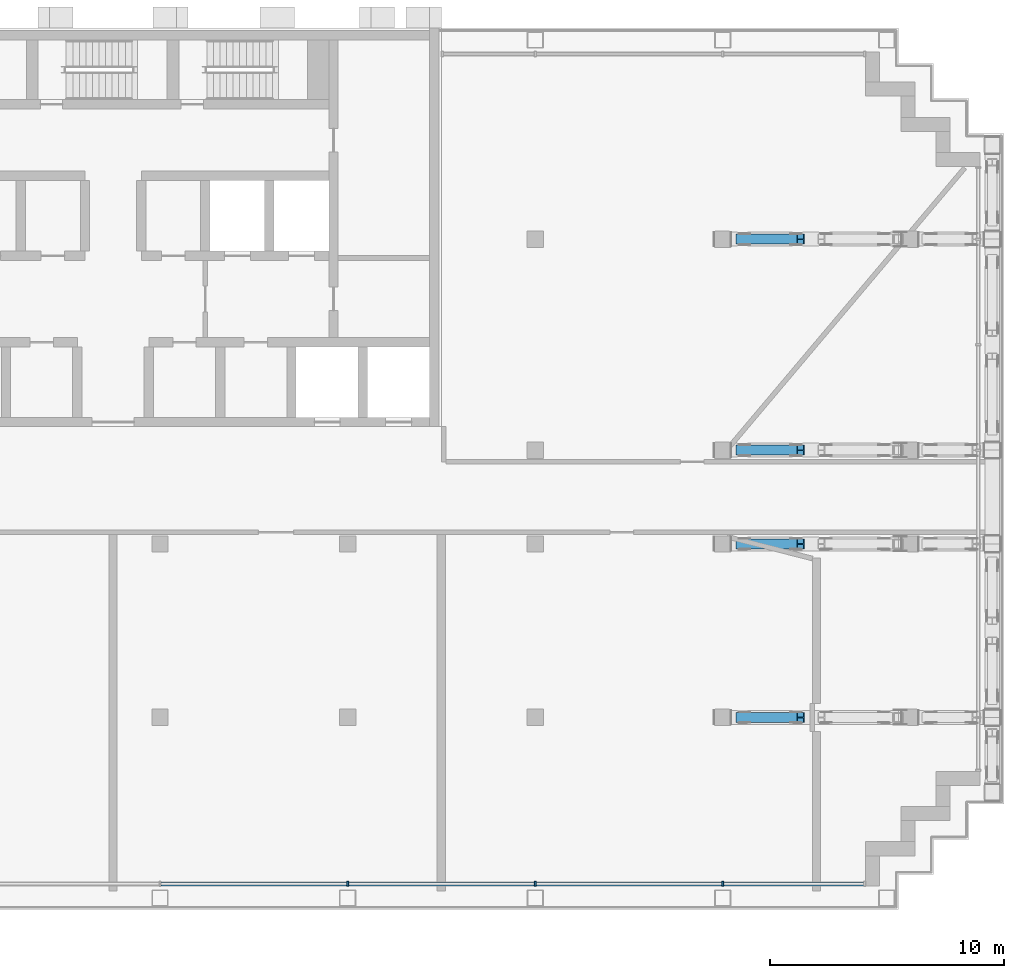
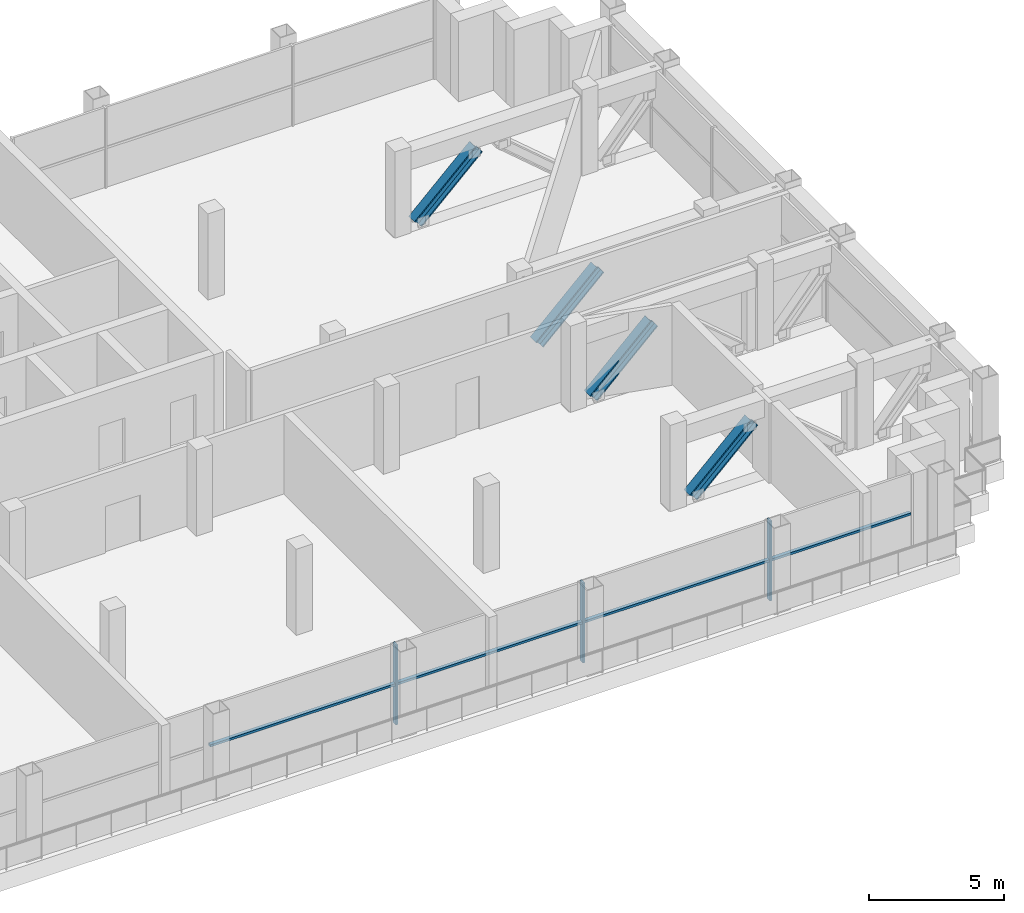
# One storey, part 3 of 21: 11 members, 1 element without a shape of its own.
"""IFC4 building model written with IfcOpenShell, lengths in metres."""

from ifc_helpers import new_model, si_unit, direction, frame, origin, origin_2d, place, context, subcontext, project, spatial, rectangle, i_section, extrude, material, material_profile, profile_set, type_object, element, aggregate, save


model = new_model("IFC4")

# Units and contexts
model_context = context("Model", 3, precision=1e-05, world=origin(), true_north=direction((0.0, 1.0)))
body_context = subcontext(model_context, "Body", "Model", "MODEL_VIEW")
ifc_project = project(units=[si_unit("LENGTHUNIT", "METRE"), si_unit("AREAUNIT", "SQUARE_METRE"), si_unit("VOLUMEUNIT", "CUBIC_METRE"), si_unit("PLANEANGLEUNIT", "RADIAN"), si_unit("MASSUNIT", "GRAM", prefix="KILO")], contexts=[model_context])

# Site, building, storey
site_placement = place(None, origin())
site = spatial("IfcSite", under=ifc_project, at=site_placement, CompositionType="ELEMENT")
building_placement = place(site_placement, origin())
building = spatial("IfcBuilding", under=site, at=building_placement, Name="Vidyagriha Tower", CompositionType="ELEMENT")
storey_placement = place(building_placement, frame((0.0, 0.0, 161.39990234375)))
storey = spatial("IfcBuildingStorey", under=building, at=storey_placement, Name="L41", CompositionType="ELEMENT", Elevation=161.39990234375)

# Curtain wall, members
ifc_material_1 = material(Name="Aluminium and glass curtain wall", Category="aluminium")
curtain_wall_type = type_object("IfcCurtainWallType", Name="Plant louvre wall", PredefinedType="USERDEFINED", material=ifc_material_1)
curtain_wall_placement = place(storey_placement, origin())
curtain_wall = element("IfcCurtainWall", 1, at=curtain_wall_placement, inside=storey, type_object=curtain_wall_type, Name="CW7 plant louvre wall", ObjectType="STICK GLAZING", PredefinedType="USERDEFINED")
ifc_material_2 = material(Name="Aluminium black anodised", Category="aluminium")
ifc_material_profile_1 = material_profile(ifc_material_2, rectangle(XDim=0.219970703125, YDim=0.080078125, at=origin_2d()), Name="Mullion 80x220 black aluminium")
ifc_profile_set_1 = profile_set([ifc_material_profile_1], Name="Aluminium black anodised")
member_type_1 = type_object("IfcMemberType", Name="Mullion 80x220 black aluminium", PredefinedType="MULLION", material=ifc_profile_set_1)
member_1_placement = place(storey_placement, frame((10.0, -16.5, 0.0), z_axis=(0.0, 0.0, 1.0), x_axis=(0.0, 1.0, 0.0)))
member_1 = element("IfcMember", 2, at=member_1_placement, type_object=member_type_1, Name="CW7 mullion 5", PredefinedType="MULLION", context=body_context, shape_type="SweptSolid", body=[
    extrude(rectangle(XDim=0.219970703125, YDim=0.080078125, at=origin_2d()), origin(), (0.0, 0.0, 1.0), 3.6201171875),
])
member_2_placement = place(storey_placement, frame((18.0, -16.5, 0.0), z_axis=(0.0, 0.0, 1.0), x_axis=(0.0, 1.0, 0.0)))
member_2 = element("IfcMember", 3, at=member_2_placement, type_object=member_type_1, Name="CW7 mullion 6", PredefinedType="MULLION", context=body_context, shape_type="SweptSolid", body=[
    extrude(rectangle(XDim=0.219970703125, YDim=0.080078125, at=origin_2d()), origin(), (0.0, 0.0, 1.0), 3.6201171875),
])
member_3_placement = place(storey_placement, frame((26.0, -16.5, 0.0), z_axis=(0.0, 0.0, 1.0), x_axis=(0.0, 1.0, 0.0)))
member_3 = element("IfcMember", 4, at=member_3_placement, type_object=member_type_1, Name="CW7 mullion 7", PredefinedType="MULLION", context=body_context, shape_type="SweptSolid", body=[
    extrude(rectangle(XDim=0.219970703125, YDim=0.080078125, at=origin_2d()), origin(), (0.0, 0.0, 1.0), 3.6201171875),
])

# Members
ifc_material_3 = material(Name="Steel ASTM A913 Grade 65", Category="steel")
ifc_material_profile_2 = material_profile(ifc_material_3, i_section(OverallWidth=0.421630859375, OverallDepth=0.46484375, WebThickness=0.030029296875, FlangeThickness=0.052978515625, at=origin_2d()), Name="W14X398")
ifc_profile_set_2 = profile_set([ifc_material_profile_2], Name="Steel ASTM A913 Grade 65")
member_type_2 = type_object("IfcMemberType", Name="Transfer truss diagonal W14X398", PredefinedType="BRACE", material=ifc_profile_set_2)
for number, where, z_axis, x_axis, name in (
    (5, (26.7255859375, -9.39990234375, 0.168212890625), (0.722886654234, 0.0, 0.690966630982), (0.0, 1.0, 0.0), "st-truss-L41-T02-D000"),
    (6, (26.7255859375, -2.0, 0.168212890625), (0.722886654234, 0.0, 0.690966630982), (0.0, 1.0, 0.0), "st-truss-L41-T04-D000"),
    (7, (26.7255859375, 2.0, 0.168212890625), (0.722886654234, 0.0, 0.690966630982), (0.0, 1.0, 0.0), "st-truss-L41-T06-D000"),
    (8, (26.7255859375, 11.0, 0.168212890625), (0.722886654234, 0.0, 0.690966630982), (0.0, 1.0, 0.0), "st-truss-L41-T08-D000"),
):
    element("IfcMember", number, at=place(storey_placement, frame(where, z_axis=z_axis, x_axis=x_axis)), inside=storey, type_object=member_type_2, Name=name, PredefinedType="BRACE", context=body_context, shape_type="SweptSolid", body=[
        extrude(i_section(OverallWidth=0.421630859375, OverallDepth=0.46484375, WebThickness=0.030029296875, FlangeThickness=0.052978515625, at=origin_2d()), origin(), (0.0, 0.0, 1.0), 3.5947265625),
    ])

# Member
ifc_material_4 = material(Name="Aluminium black anodised", Category="aluminium")
ifc_material_profile_3 = material_profile(ifc_material_4, rectangle(XDim=0.159912109375, YDim=0.10009765625, at=origin_2d()), Name="Transom 100x160 black aluminium")
ifc_profile_set_3 = profile_set([ifc_material_profile_3], Name="Aluminium black anodised")
member_type_3 = type_object("IfcMemberType", Name="Transom 100x160 black aluminium", PredefinedType="USERDEFINED", material=ifc_profile_set_3)
member_4_placement = place(storey_placement, frame((2.0400390625, -16.5, 1.81005859375), z_axis=(1.0, 0.0, 0.0), x_axis=(0.0, 1.0, 0.0)))
member_4 = element("IfcMember", 9, at=member_4_placement, type_object=member_type_3, Name="CW7 transom 4.1", ObjectType="TRANSOM", PredefinedType="USERDEFINED", context=body_context, shape_type="SweptSolid", body=[
    extrude(rectangle(XDim=0.159912109375, YDim=0.10009765625, at=origin_2d()), origin(), (0.0, 0.0, 1.0), 7.919921875),
])

member_5_placement = place(storey_placement, frame((10.0400390625, -16.5, 1.81005859375), z_axis=(1.0, 0.0, 0.0), x_axis=(0.0, 1.0, 0.0)))
member_5 = element("IfcMember", 10, at=member_5_placement, type_object=member_type_3, Name="CW7 transom 5.1", ObjectType="TRANSOM", PredefinedType="USERDEFINED", context=body_context, shape_type="SweptSolid", body=[
    extrude(rectangle(XDim=0.159912109375, YDim=0.10009765625, at=origin_2d()), origin(), (0.0, 0.0, 1.0), 7.919921875),
])

member_6_placement = place(storey_placement, frame((18.0400390625, -16.5, 1.81005859375), z_axis=(1.0, 0.0, 0.0), x_axis=(0.0, 1.0, 0.0)))
member_6 = element("IfcMember", 11, at=member_6_placement, type_object=member_type_3, Name="CW7 transom 6.1", ObjectType="TRANSOM", PredefinedType="USERDEFINED", context=body_context, shape_type="SweptSolid", body=[
    extrude(rectangle(XDim=0.159912109375, YDim=0.10009765625, at=origin_2d()), origin(), (0.0, 0.0, 1.0), 7.919921875),
])

member_7_placement = place(storey_placement, frame((26.0400390625, -16.5, 1.81005859375), z_axis=(1.0, 0.0, 0.0), x_axis=(0.0, 1.0, 0.0)))
member_7 = element("IfcMember", 12, at=member_7_placement, type_object=member_type_3, Name="CW7 transom 7.1", ObjectType="TRANSOM", PredefinedType="USERDEFINED", context=body_context, shape_type="SweptSolid", body=[
    extrude(rectangle(XDim=0.159912109375, YDim=0.10009765625, at=origin_2d()), origin(), (0.0, 0.0, 1.0), 5.97998046875),
])

aggregate(curtain_wall, [member_1, member_2, member_3, member_4, member_5, member_6, member_7])

save(model, "model.ifc")
